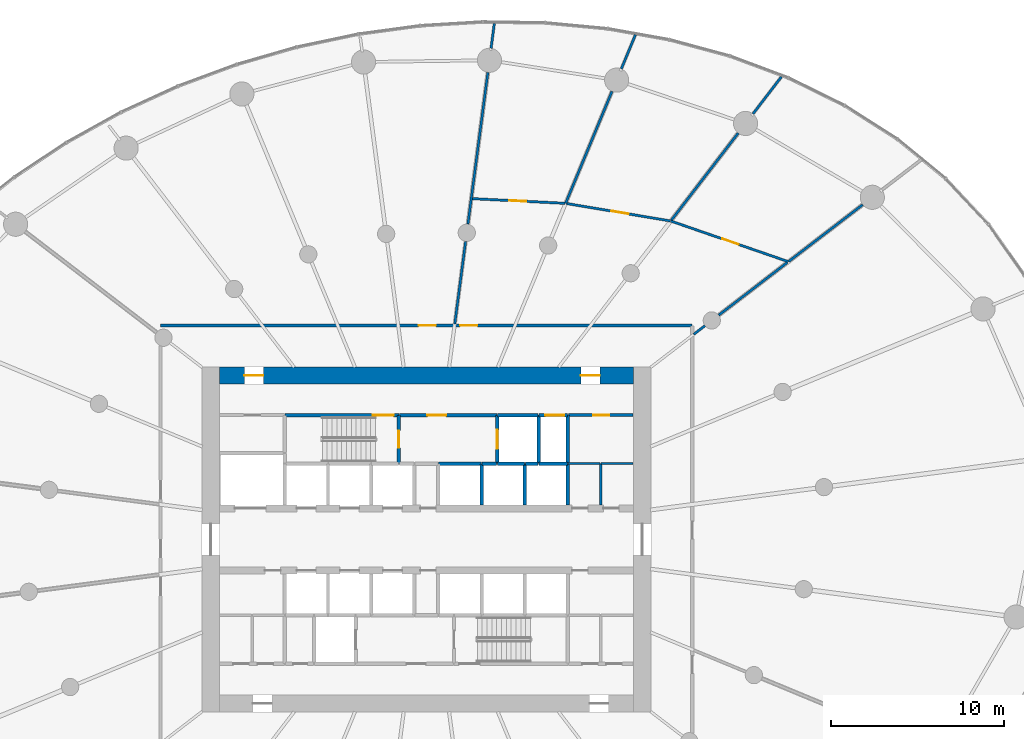
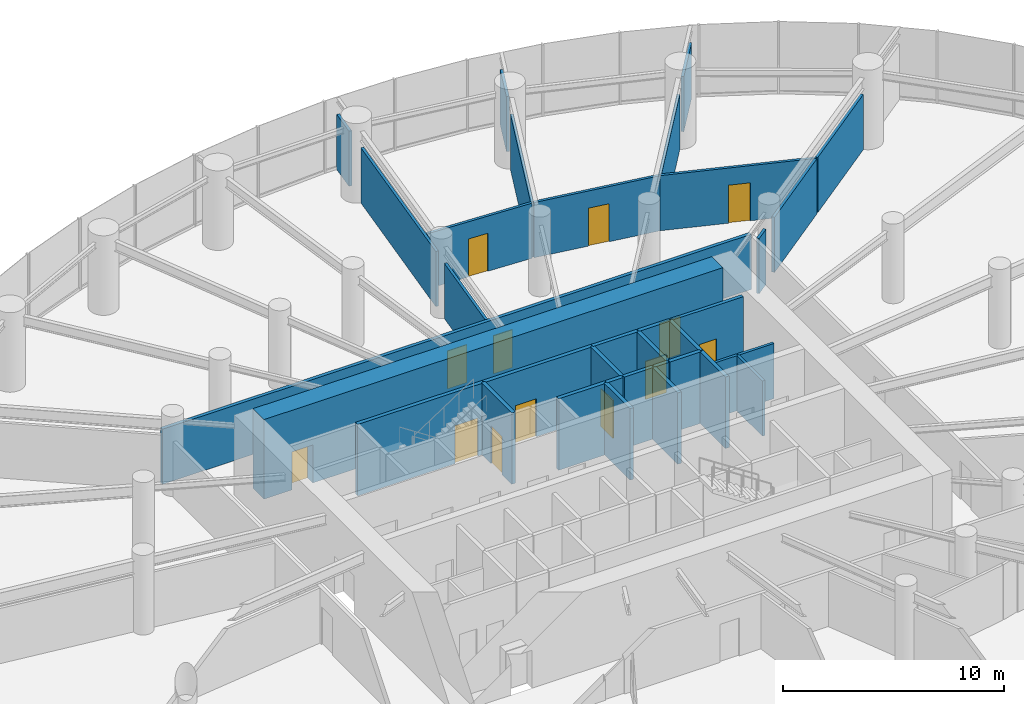
# One storey, part 14 of 18: 35 walls, 13 doors, 13 openings.
"""IFC4 building model written with IfcOpenShell, lengths in metres."""

from ifc_helpers import new_model, si_unit, direction, frame, frame_2d, origin, place, context, subcontext, project, spatial, rectangle, extrude, source, transform, mapped, material, layer, layer_set, type_object, element, fill, save


model = new_model("IFC4")

# Units and contexts
model_context = context("Model", 3, precision=1e-05, world=origin(), true_north=direction((0.0, 1.0)))
body_context = subcontext(model_context, "Body", "Model", "MODEL_VIEW")
ifc_project = project(units=[si_unit("LENGTHUNIT", "METRE"), si_unit("AREAUNIT", "SQUARE_METRE"), si_unit("VOLUMEUNIT", "CUBIC_METRE"), si_unit("PLANEANGLEUNIT", "RADIAN"), si_unit("MASSUNIT", "GRAM", prefix="KILO")], contexts=[model_context])

# Site, building, storey
site_placement = place(None, origin())
site = spatial("IfcSite", under=ifc_project, at=site_placement, CompositionType="ELEMENT")
building_placement = place(site_placement, origin())
building = spatial("IfcBuilding", under=site, at=building_placement, Name="Spindrift Exchange Tower", CompositionType="ELEMENT")
storey_placement = place(building_placement, frame((0.0, 0.0, 62.199951171875)))
storey = spatial("IfcBuildingStorey", under=building, at=storey_placement, Name="L14", CompositionType="ELEMENT", Elevation=62.199951171875)

# Wall, openings, doors
ifc_material_1 = material(Name="Concrete 80 MPa", Category="concrete")
ifc_layer_1 = layer(ifc_material_1, 1.0)
ifc_layer_set_1 = layer_set([ifc_layer_1], Name="RC Core Wall 1000 Concrete 80 MPa")
wall_type_1 = type_object("IfcWallType", Name="RC Core Wall 1000 Concrete 80 MPa", PredefinedType="SHEAR", material=ifc_layer_set_1)
wall_1_placement = place(storey_placement, frame((64.0, 57.5, 0.0), z_axis=(0.0, 0.0, 1.0), x_axis=(-1.0, 0.0, 0.0)))
wall_1 = element("IfcWall", 1, at=wall_1_placement, inside=storey, type_object=wall_type_1, Name="Core wall N L14", PredefinedType="SHEAR", context=body_context, shape_type="SweptSolid", body=[
    extrude(rectangle(XDim=24.0, YDim=1.0, at=frame_2d((12.0, 0.0))), origin(), (0.0, 0.0, 1.0), 4.400146484375),
])
opening_1_placement = place(wall_1_placement, frame((21.449951171875, 0.0, 0.0)))
opening_1 = element("IfcOpeningElement", 2, at=opening_1_placement, cuts=wall_1, Name="Opening L14-D20", PredefinedType="OPENING", context=body_context, shape_type="SweptSolid", body=[
    extrude(rectangle(XDim=1.10009765625, YDim=2.10009765625, at=frame_2d((0.550048828125, 1.050048828125))), frame((0.0, 0.510009765625, 0.0), z_axis=(0.0, -1.0, 0.0), x_axis=(1.0, 0.0, 0.0)), (0.0, 0.0, 1.0), 1.02001953125),
])
opening_2_placement = place(wall_1_placement, frame((1.949951171875, 0.0, 0.0)))
opening_2 = element("IfcOpeningElement", 3, at=opening_2_placement, cuts=wall_1, Name="Opening L14-D21", PredefinedType="OPENING", context=body_context, shape_type="SweptSolid", body=[
    extrude(rectangle(XDim=1.10009765625, YDim=2.10009765625, at=frame_2d((0.550048828125, 1.050048828125))), frame((0.0, 0.510009765625, 0.0), z_axis=(0.0, -1.0, 0.0), x_axis=(1.0, 0.0, 0.0)), (0.0, 0.0, 1.0), 1.02001953125),
])
ifc_material_2 = material(Name="Steel fire door", Category="steel")
door_type_1 = type_object("IfcDoorType", Name="DR-STAIR-1100", OperationType="NOTDEFINED", PredefinedType="DOOR", material=ifc_material_2)
shared_shape_1 = source(origin(), body_context, "Body", "SweptSolid", [
    extrude(rectangle(XDim=1.10009765625, YDim=2.10009765625, at=frame_2d((0.550048828125, 1.050048828125))), frame((0.0, 0.02490234375, 0.0), z_axis=(0.0, -1.0, 0.0), x_axis=(1.0, 0.0, 0.0)), (0.0, 0.0, 1.0), 0.050048828125),
])
door_1_placement = place(opening_1_placement, origin())
door_1 = element("IfcDoor", 4, at=door_1_placement, inside=storey, type_object=door_type_1, Name="L14 Stair door 20", OperationType="SINGLE_SWING_LEFT", OverallHeight=2.10009765625, OverallWidth=1.10009765625, PredefinedType="DOOR", context=body_context, shape_type="MappedRepresentation", body=[
    mapped(shared_shape_1, transform((0.0, 0.0, 0.0), scale=1.0)),
])
fill(opening_1, door_1)
door_2_placement = place(opening_2_placement, origin())
door_2 = element("IfcDoor", 5, at=door_2_placement, inside=storey, type_object=door_type_1, Name="L14 Stair door 21", OperationType="SINGLE_SWING_RIGHT", OverallHeight=2.10009765625, OverallWidth=1.10009765625, PredefinedType="DOOR", context=body_context, shape_type="MappedRepresentation", body=[
    mapped(shared_shape_1, transform((0.0, 0.0, 0.0), scale=1.0)),
])
fill(opening_2, door_2)

ifc_material_3 = material(Name="Fire-rated plasterboard partition", Category="gypsum")
ifc_layer_2 = layer(ifc_material_3, 0.179931640625)
ifc_layer_set_2 = layer_set([ifc_layer_2], Name="W-CORR-180")
wall_type_2 = type_object("IfcWallType", Name="W-CORR-180", PredefinedType="PARTITIONING", material=ifc_layer_set_2)
wall_2_placement = place(storey_placement, frame((36.60009765625, 60.39990234375, 0.0), z_axis=(0.0, 0.0, 1.0), x_axis=(1.0, 0.0, 0.0)))
wall_2 = element("IfcWall", 6, at=wall_2_placement, inside=storey, type_object=wall_type_2, Name="L14 Partition wall 58", PredefinedType="PARTITIONING", context=body_context, shape_type="SweptSolid", body=[
    extrude(rectangle(XDim=30.7998046875, YDim=0.179931640625, at=frame_2d((15.39990234375, 0.0))), origin(), (0.0, 0.0, 1.0), 3.050048828125),
])
opening_3_placement = place(wall_2_placement, frame((17.35009765625, 0.0, 0.0)))
opening_3 = element("IfcOpeningElement", 7, at=opening_3_placement, cuts=wall_2, Name="Opening L14-D30", PredefinedType="OPENING", context=body_context, shape_type="SweptSolid", body=[
    extrude(rectangle(XDim=1.0, YDim=2.10009765625, at=frame_2d((0.5, 1.050048828125))), frame((0.0, 0.099853515625, 0.0), z_axis=(0.0, -1.0, 0.0), x_axis=(1.0, 0.0, 0.0)), (0.0, 0.0, 1.0), 0.199951171875),
])
opening_4_placement = place(wall_2_placement, frame((14.949951171875, 0.0, 0.0)))
opening_4 = element("IfcOpeningElement", 8, at=opening_4_placement, cuts=wall_2, Name="Opening L14-D34", PredefinedType="OPENING", context=body_context, shape_type="SweptSolid", body=[
    extrude(rectangle(XDim=1.0, YDim=2.10009765625, at=frame_2d((0.5, 1.050048828125))), frame((0.0, 0.099853515625, 0.0), z_axis=(0.0, -1.0, 0.0), x_axis=(1.0, 0.0, 0.0)), (0.0, 0.0, 1.0), 0.199951171875),
])
ifc_material_4 = material(Name="Timber-core fire door", Category="wood")
door_type_2 = type_object("IfcDoorType", Name="DR-ROOM-1000", OperationType="NOTDEFINED", PredefinedType="DOOR", material=ifc_material_4)
shared_shape_2 = source(origin(), body_context, "Body", "SweptSolid", [
    extrude(rectangle(XDim=1.0, YDim=2.10009765625, at=frame_2d((0.5, 1.050048828125))), frame((0.0, 0.02490234375, 0.0), z_axis=(0.0, -1.0, 0.0), x_axis=(1.0, 0.0, 0.0)), (0.0, 0.0, 1.0), 0.050048828125),
])
door_3_placement = place(opening_3_placement, origin())
door_3 = element("IfcDoor", 9, at=door_3_placement, inside=storey, type_object=door_type_2, Name="L14 Door 30", OperationType="SINGLE_SWING_LEFT", OverallHeight=2.10009765625, OverallWidth=1.0, PredefinedType="DOOR", context=body_context, shape_type="MappedRepresentation", body=[
    mapped(shared_shape_2, transform((0.0, 0.0, 0.0), scale=1.0)),
])
fill(opening_3, door_3)
door_4_placement = place(opening_4_placement, origin())
door_4 = element("IfcDoor", 10, at=door_4_placement, inside=storey, type_object=door_type_2, Name="L14 Door 34", OperationType="SINGLE_SWING_LEFT", OverallHeight=2.10009765625, OverallWidth=1.0, PredefinedType="DOOR", context=body_context, shape_type="MappedRepresentation", body=[
    mapped(shared_shape_2, transform((0.0, 0.0, 0.0), scale=1.0)),
])
fill(opening_4, door_4)

# Wall, opening, door
wall_3_placement = place(storey_placement, frame((63.97998046875, 55.199951171875, 0.0), z_axis=(0.0, 0.0, 1.0), x_axis=(-1.0, 0.0, 0.0)))
wall_3 = element("IfcWall", 11, at=wall_3_placement, inside=storey, type_object=wall_type_2, Name="L14 Partition wall 64", PredefinedType="PARTITIONING", context=body_context, shape_type="SweptSolid", body=[
    extrude(rectangle(XDim=3.75, YDim=0.179931640625, at=frame_2d((1.875, 0.0))), origin(), (0.0, 0.0, 1.0), 3.949951171875),
])
opening_5_placement = place(wall_3_placement, frame((1.39990234375, 0.0, 0.0)))
opening_5 = element("IfcOpeningElement", 12, at=opening_5_placement, cuts=wall_3, Name="Opening L14-D48", PredefinedType="OPENING", context=body_context, shape_type="SweptSolid", body=[
    extrude(rectangle(XDim=0.89990234375, YDim=2.10009765625, at=frame_2d((0.449951171875, 1.050048828125))), frame((0.0, 0.099853515625, 0.0), z_axis=(0.0, -1.0, 0.0), x_axis=(1.0, 0.0, 0.0)), (0.0, 0.0, 1.0), 0.199951171875),
])
ifc_material_5 = material(Name="Steel access door", Category="steel")
door_type_3 = type_object("IfcDoorType", Name="DR-RISER-900", OperationType="NOTDEFINED", PredefinedType="DOOR", material=ifc_material_5)
shared_shape_3 = source(origin(), body_context, "Body", "SweptSolid", [
    extrude(rectangle(XDim=0.89990234375, YDim=2.10009765625, at=frame_2d((0.449951171875, 1.050048828125))), frame((0.0, 0.02490234375, 0.0), z_axis=(0.0, -1.0, 0.0), x_axis=(1.0, 0.0, 0.0)), (0.0, 0.0, 1.0), 0.050048828125),
])
door_5_placement = place(opening_5_placement, origin())
door_5 = element("IfcDoor", 13, at=door_5_placement, inside=storey, type_object=door_type_3, Name="L14 Riser door 48", OperationType="SINGLE_SWING_LEFT", OverallHeight=2.10009765625, OverallWidth=0.89990234375, PredefinedType="DOOR", context=body_context, shape_type="MappedRepresentation", body=[
    mapped(shared_shape_3, transform((0.0, 0.0, 0.0), scale=1.0)),
])
fill(opening_5, door_5)

# Wall
ifc_layer_3 = layer(ifc_material_3, 0.139892578125)
ifc_layer_set_3 = layer_set([ifc_layer_3], Name="W-PART-140")
wall_type_3 = type_object("IfcWallType", Name="W-PART-140", PredefinedType="PARTITIONING", material=ifc_layer_set_3)
wall_4_placement = place(storey_placement, frame((55.56298828125, 75.063232421875, 0.0), z_axis=(0.0, 0.0, 1.0), x_axis=(-0.130521426482, -0.991445488783, 0.0)))
element("IfcWall", 14, at=wall_4_placement, inside=storey, type_object=wall_type_3, Name="L14 Partition wall 72", PredefinedType="PARTITIONING", context=body_context, shape_type="SweptSolid", body=[
    extrude(rectangle(XDim=8.871826171875, YDim=0.139892578125, at=frame_2d((4.43603515625, 0.0))), origin(), (0.0, 0.0, 1.0), 3.050048828125),
])

# Wall, opening, door
wall_5_placement = place(storey_placement, frame((66.156982421875, 66.44970703125, 0.0), z_axis=(0.0, 0.0, 1.0), x_axis=(0.94512845443, -0.326698951064, 0.0)))
wall_5 = element("IfcWall", 15, at=wall_5_placement, inside=storey, type_object=wall_type_3, Name="L14 Partition wall 74", PredefinedType="PARTITIONING", context=body_context, shape_type="SweptSolid", body=[
    extrude(rectangle(XDim=7.212158203125, YDim=0.139892578125, at=frame_2d((3.60595703125, 0.0))), origin(), (0.0, 0.0, 1.0), 3.050048828125),
])
opening_6_placement = place(wall_5_placement, frame((3.162109375, 0.0, 0.0)))
opening_6 = element("IfcOpeningElement", 16, at=opening_6_placement, cuts=wall_5, Name="Opening L14-D31", PredefinedType="OPENING", context=body_context, shape_type="SweptSolid", body=[
    extrude(rectangle(XDim=1.0, YDim=2.10009765625, at=frame_2d((0.5, 1.050048828125))), frame((0.0, 0.079833984375, 0.0), z_axis=(0.0, -1.0, 0.0), x_axis=(1.0, 0.0, 0.0)), (0.0, 0.0, 1.0), 0.159912109375),
])
door_6_placement = place(opening_6_placement, origin())
door_6 = element("IfcDoor", 17, at=door_6_placement, inside=storey, type_object=door_type_2, Name="L14 Door 31", OperationType="SINGLE_SWING_RIGHT", OverallHeight=2.10009765625, OverallWidth=1.0, PredefinedType="DOOR", context=body_context, shape_type="MappedRepresentation", body=[
    mapped(shared_shape_2, transform((0.0, 0.0, 0.0), scale=1.0)),
])
fill(opening_6, door_6)

# Walls
wall_6_placement = place(storey_placement, frame((60.06591796875, 67.47265625, 0.0), z_axis=(0.0, 0.0, 1.0), x_axis=(0.382656812721, 0.92389055828, 0.0)))
element("IfcWall", 18, at=wall_6_placement, inside=storey, type_object=wall_type_3, Name="L14 Partition wall 76", PredefinedType="PARTITIONING", context=body_context, shape_type="SweptSolid", body=[
    extrude(rectangle(XDim=7.02197265625, YDim=0.139892578125, at=frame_2d((3.510986328125, 0.0))), origin(), (0.0, 0.0, 1.0), 3.050048828125),
])
wall_7_placement = place(storey_placement, frame((66.201904296875, 66.50830078125, 0.0), z_axis=(0.0, 0.0, 1.0), x_axis=(0.608769216059, 0.793347365017, 0.0)))
element("IfcWall", 19, at=wall_7_placement, inside=storey, type_object=wall_type_3, Name="L14 Partition wall 78", PredefinedType="PARTITIONING", context=body_context, shape_type="SweptSolid", body=[
    extrude(rectangle(XDim=6.34375, YDim=0.139892578125, at=frame_2d((3.171875, 0.0))), origin(), (0.0, 0.0, 1.0), 3.050048828125),
])

# Wall, opening, door
wall_8_placement = place(storey_placement, frame((60.13671875, 67.460693359375, 0.0), z_axis=(0.0, 0.0, 1.0), x_axis=(0.986188952804, -0.165624120731, 0.0)))
wall_8 = element("IfcWall", 20, at=wall_8_placement, inside=storey, type_object=wall_type_3, Name="L14 Partition wall 79", PredefinedType="PARTITIONING", context=body_context, shape_type="SweptSolid", body=[
    extrude(rectangle(XDim=6.07470703125, YDim=0.139892578125, at=frame_2d((3.037353515625, 0.0))), origin(), (0.0, 0.0, 1.0), 3.050048828125),
])
opening_7_placement = place(wall_8_placement, frame((2.62451171875, 0.0, 0.0)))
opening_7 = element("IfcOpeningElement", 21, at=opening_7_placement, cuts=wall_8, Name="Opening L14-D32", PredefinedType="OPENING", context=body_context, shape_type="SweptSolid", body=[
    extrude(rectangle(XDim=1.0, YDim=2.10009765625, at=frame_2d((0.5, 1.050048828125))), frame((0.0, 0.079833984375, 0.0), z_axis=(0.0, -1.0, 0.0), x_axis=(1.0, 0.0, 0.0)), (0.0, 0.0, 1.0), 0.159912109375),
])
door_7_placement = place(opening_7_placement, origin())
door_7 = element("IfcDoor", 22, at=door_7_placement, inside=storey, type_object=door_type_2, Name="L14 Door 32", OperationType="SINGLE_SWING_LEFT", OverallHeight=2.10009765625, OverallWidth=1.0, PredefinedType="DOOR", context=body_context, shape_type="MappedRepresentation", body=[
    mapped(shared_shape_2, transform((0.0, 0.0, 0.0), scale=1.0)),
])
fill(opening_7, door_7)

wall_9_placement = place(storey_placement, frame((54.669921875, 67.744384765625, 0.0), z_axis=(0.0, 0.0, 1.0), x_axis=(0.998734028084, -0.050302496432, 0.0)))
wall_9 = element("IfcWall", 23, at=wall_9_placement, inside=storey, type_object=wall_type_3, Name="L14 Partition wall 82", PredefinedType="PARTITIONING", context=body_context, shape_type="SweptSolid", body=[
    extrude(rectangle(XDim=5.372802734375, YDim=0.139892578125, at=frame_2d((2.6865234375, 0.0))), origin(), (0.0, 0.0, 1.0), 3.050048828125),
])
opening_8_placement = place(wall_9_placement, frame((2.122802734375, 0.0, 0.0)))
opening_8 = element("IfcOpeningElement", 24, at=opening_8_placement, cuts=wall_9, Name="Opening L14-D33", PredefinedType="OPENING", context=body_context, shape_type="SweptSolid", body=[
    extrude(rectangle(XDim=1.0, YDim=2.10009765625, at=frame_2d((0.5, 1.050048828125))), frame((0.0, 0.079833984375, 0.0), z_axis=(0.0, -1.0, 0.0), x_axis=(1.0, 0.0, 0.0)), (0.0, 0.0, 1.0), 0.159912109375),
])
door_8_placement = place(opening_8_placement, origin())
door_8 = element("IfcDoor", 25, at=door_8_placement, inside=storey, type_object=door_type_2, Name="L14 Door 33", OperationType="SINGLE_SWING_RIGHT", OverallHeight=2.10009765625, OverallWidth=1.0, PredefinedType="DOOR", context=body_context, shape_type="MappedRepresentation", body=[
    mapped(shared_shape_2, transform((0.0, 0.0, 0.0), scale=1.0)),
])
fill(opening_8, door_8)

# Walls
wall_10_placement = place(storey_placement, frame((72.997314453125, 64.11181640625, 0.0), z_axis=(0.0, 0.0, 1.0), x_axis=(0.793363718192, 0.608747904027, 0.0)))
element("IfcWall", 26, at=wall_10_placement, inside=storey, type_object=wall_type_3, Name="L14 Partition wall 83", PredefinedType="PARTITIONING", context=body_context, shape_type="SweptSolid", body=[
    extrude(rectangle(XDim=5.394287109375, YDim=0.139892578125, at=frame_2d((2.697265625, 0.0))), origin(), (0.0, 0.0, 1.0), 3.050048828125),
])
wall_11_placement = place(storey_placement, frame((68.93505859375, 60.99462890625, 0.0), z_axis=(0.0, 0.0, 1.0), x_axis=(0.793344926922, 0.608772393368, 0.0)))
element("IfcWall", 27, at=wall_11_placement, inside=storey, type_object=wall_type_3, Name="L14 Partition wall 85", PredefinedType="PARTITIONING", context=body_context, shape_type="SweptSolid", body=[
    extrude(rectangle(XDim=5.006591796875, YDim=0.139892578125, at=frame_2d((2.50341796875, 0.0))), origin(), (0.0, 0.0, 1.0), 3.050048828125),
])
wall_12_placement = place(storey_placement, frame((53.644287109375, 60.489990234375, 0.0), z_axis=(0.0, 0.0, 1.0), x_axis=(0.130523979823, 0.991445152639, 0.0)))
element("IfcWall", 28, at=wall_12_placement, inside=storey, type_object=wall_type_3, Name="L14 Partition wall 87", PredefinedType="PARTITIONING", context=body_context, shape_type="SweptSolid", body=[
    extrude(rectangle(XDim=4.818359375, YDim=0.139892578125, at=frame_2d((2.4091796875, 0.0))), origin(), (0.0, 0.0, 1.0), 3.050048828125),
])
wall_13_placement = place(storey_placement, frame((70.9208984375, 72.658447265625, 0.0), z_axis=(0.0, 0.0, 1.0), x_axis=(0.608759332692, 0.793354948847, 0.0)))
element("IfcWall", 29, at=wall_13_placement, inside=storey, type_object=wall_type_3, Name="L14 Partition wall 97", PredefinedType="PARTITIONING", context=body_context, shape_type="SweptSolid", body=[
    extrude(rectangle(XDim=2.70458984375, YDim=0.139892578125, at=frame_2d((1.352294921875, 0.0))), origin(), (0.0, 0.0, 1.0), 3.050048828125),
])
wall_14_placement = place(storey_placement, frame((62.10009765625, 50.010009765625, 0.0), z_axis=(0.0, 0.0, 1.0), x_axis=(0.0, 1.0, 0.0)))
element("IfcWall", 30, at=wall_14_placement, inside=storey, type_object=wall_type_3, Name="L14 Partition wall 98", PredefinedType="PARTITIONING", context=body_context, shape_type="SweptSolid", body=[
    extrude(rectangle(XDim=2.389892578125, YDim=0.139892578125, at=frame_2d((1.19482421875, 0.0))), origin(), (0.0, 0.0, 1.0), 3.050048828125),
])
wall_15_placement = place(storey_placement, frame((63.29248046875, 75.2626953125, 0.0), z_axis=(0.0, 0.0, 1.0), x_axis=(0.382791800522, 0.923834637504, 0.0)))
element("IfcWall", 31, at=wall_15_placement, inside=storey, type_object=wall_type_3, Name="L14 Partition wall 100", PredefinedType="PARTITIONING", context=body_context, shape_type="SweptSolid", body=[
    extrude(rectangle(XDim=2.139892578125, YDim=0.139892578125, at=frame_2d((1.06982421875, 0.0))), origin(), (0.0, 0.0, 1.0), 3.050048828125),
])
wall_16_placement = place(storey_placement, frame((62.070068359375, 52.39990234375, 0.0), z_axis=(0.0, 0.0, 1.0), x_axis=(-1.0, 0.0, 0.0)))
element("IfcWall", 32, at=wall_16_placement, inside=storey, type_object=wall_type_3, Name="L14 Partition wall 103", PredefinedType="PARTITIONING", context=body_context, shape_type="SweptSolid", body=[
    extrude(rectangle(XDim=1.840087890625, YDim=0.139892578125, at=frame_2d((0.919921875, 0.0))), origin(), (0.0, 0.0, 1.0), 3.050048828125),
])
wall_17_placement = place(storey_placement, frame((63.97998046875, 52.39990234375, 0.0), z_axis=(0.0, 0.0, 1.0), x_axis=(-1.0, 0.0, 0.0)))
element("IfcWall", 33, at=wall_17_placement, inside=storey, type_object=wall_type_3, Name="L14 Partition wall 106", PredefinedType="PARTITIONING", context=body_context, shape_type="SweptSolid", body=[
    extrude(rectangle(XDim=1.85009765625, YDim=0.139892578125, at=frame_2d((0.925048828125, 0.0))), origin(), (0.0, 0.0, 1.0), 3.050048828125),
])
wall_18_placement = place(storey_placement, frame((55.746826171875, 76.459716796875, 0.0), z_axis=(0.0, 0.0, 1.0), x_axis=(0.130550501092, 0.991441660747, 0.0)))
element("IfcWall", 34, at=wall_18_placement, inside=storey, type_object=wall_type_3, Name="L14 Partition wall 111", PredefinedType="PARTITIONING", context=body_context, shape_type="SweptSolid", body=[
    extrude(rectangle(XDim=1.447509765625, YDim=0.139892578125, at=frame_2d((0.7236328125, 0.0))), origin(), (0.0, 0.0, 1.0), 3.050048828125),
])
wall_19_placement = place(storey_placement, frame((67.489990234375, 59.885986328125, 0.0), z_axis=(0.0, 0.0, 1.0), x_axis=(0.793316076519, 0.608809989025, 0.0)))
element("IfcWall", 35, at=wall_19_placement, inside=storey, type_object=wall_type_3, Name="L14 Partition wall 114", PredefinedType="PARTITIONING", context=body_context, shape_type="SweptSolid", body=[
    extrude(rectangle(XDim=0.8125, YDim=0.139892578125, at=frame_2d((0.40625, 0.0))), origin(), (0.0, 0.0, 1.0), 3.050048828125),
])

# Wall, opening, door
ifc_material_6 = material(Name="Concrete 40 MPa", Category="concrete")
ifc_layer_4 = layer(ifc_material_6, 0.199951171875)
ifc_layer_set_4 = layer_set([ifc_layer_4], Name="W-SHAFT-200")
wall_type_4 = type_object("IfcWallType", Name="W-SHAFT-200", PredefinedType="SOLIDWALL", material=ifc_layer_set_4)
wall_20_placement = place(storey_placement, frame((56.10009765625, 55.169921875, 0.0), z_axis=(0.0, 0.0, 1.0), x_axis=(0.0, -1.0, 0.0)))
wall_20 = element("IfcWall", 36, at=wall_20_placement, inside=storey, type_object=wall_type_4, Name="L14 Shaft wall 12", PredefinedType="SOLIDWALL", context=body_context, shape_type="SweptSolid", body=[
    extrude(rectangle(XDim=2.77001953125, YDim=0.199951171875, at=frame_2d((1.385009765625, 0.0))), origin(), (0.0, 0.0, 1.0), 3.949951171875),
])
opening_9_placement = place(wall_20_placement, frame((0.820068359375, 0.0, 0.0)))
opening_9 = element("IfcOpeningElement", 37, at=opening_9_placement, cuts=wall_20, Name="Opening L14-D9", PredefinedType="OPENING", context=body_context, shape_type="SweptSolid", body=[
    extrude(rectangle(XDim=1.10009765625, YDim=2.10009765625, at=frame_2d((0.550048828125, 1.050048828125))), frame((0.0, 0.10986328125, 0.0), z_axis=(0.0, -1.0, 0.0), x_axis=(1.0, 0.0, 0.0)), (0.0, 0.0, 1.0), 0.219970703125),
])
ifc_material_7 = material(Name="Stainless steel landing door", Category="steel")
door_type_4 = type_object("IfcDoorType", Name="DR-LANDING-1100-SL", OperationType="DOUBLE_DOOR_SLIDING", PredefinedType="USERDEFINED", material=ifc_material_7)
shared_shape_4 = source(origin(), body_context, "Body", "SweptSolid", [
    extrude(rectangle(XDim=1.10009765625, YDim=2.10009765625, at=frame_2d((0.550048828125, 1.050048828125))), frame((0.0, 0.02490234375, 0.0), z_axis=(0.0, -1.0, 0.0), x_axis=(1.0, 0.0, 0.0)), (0.0, 0.0, 1.0), 0.050048828125),
])
door_9_placement = place(opening_9_placement, origin())
door_9 = element("IfcDoor", 38, at=door_9_placement, inside=storey, type_object=door_type_4, Name="L14 Lift landing door 9", ObjectType="LANDING DOOR", OperationType="DOUBLE_DOOR_SLIDING", OverallHeight=2.10009765625, OverallWidth=1.10009765625, PredefinedType="USERDEFINED", context=body_context, shape_type="MappedRepresentation", body=[
    mapped(shared_shape_4, transform((0.0, 0.0, 0.0), scale=1.0)),
])
fill(opening_9, door_9)

# Walls
for number, where, z_axis, x_axis, name in (
    (39, (58.5, 52.39990234375, 0.0), (0.0, 0.0, 1.0), (0.0, 1.0, 0.0), "L14 Shaft wall 13"),
    (40, (60.199951171875, 52.39990234375, 0.0), (0.0, 0.0, 1.0), (0.0, 1.0, 0.0), "L14 Shaft wall 14"),
):
    element("IfcWall", number, at=place(storey_placement, frame(where, z_axis=z_axis, x_axis=x_axis)), inside=storey, type_object=wall_type_4, Name=name, PredefinedType="SOLIDWALL", context=body_context, shape_type="SweptSolid", body=[
        extrude(rectangle(XDim=2.800048828125, YDim=0.199951171875, at=frame_2d((1.39990234375, 0.0))), origin(), (0.0, 0.0, 1.0), 3.949951171875),
    ])
wall_21_placement = place(storey_placement, frame((55.199951171875, 52.39990234375, 0.0), z_axis=(0.0, 0.0, 1.0), x_axis=(-1.0, 0.0, 0.0)))
element("IfcWall", 41, at=wall_21_placement, inside=storey, type_object=wall_type_4, Name="L14 Shaft wall 18", PredefinedType="SOLIDWALL", context=body_context, shape_type="SweptSolid", body=[
    extrude(rectangle(XDim=2.5, YDim=0.199951171875, at=frame_2d((1.25, 0.0))), origin(), (0.0, 0.0, 1.0), 3.949951171875),
])
wall_22_placement = place(storey_placement, frame((58.469970703125, 55.199951171875, 0.0), z_axis=(0.0, 0.0, 1.0), x_axis=(-1.0, 0.0, 0.0)))
element("IfcWall", 42, at=wall_22_placement, inside=storey, type_object=wall_type_4, Name="L14 Shaft wall 22", PredefinedType="SOLIDWALL", context=body_context, shape_type="SweptSolid", body=[
    extrude(rectangle(XDim=2.340087890625, YDim=0.199951171875, at=frame_2d((1.169921875, 0.0))), origin(), (0.0, 0.0, 1.0), 3.949951171875),
])
wall_23_placement = place(storey_placement, frame((55.199951171875, 50.010009765625, 0.0), z_axis=(0.0, 0.0, 1.0), x_axis=(0.0, 1.0, 0.0)))
element("IfcWall", 43, at=wall_23_placement, inside=storey, type_object=wall_type_4, Name="L14 Shaft wall 34", PredefinedType="SOLIDWALL", context=body_context, shape_type="SweptSolid", body=[
    extrude(rectangle(XDim=2.360107421875, YDim=0.199951171875, at=frame_2d((1.18017578125, 0.0))), origin(), (0.0, 0.0, 1.0), 3.949951171875),
])
wall_24_placement = place(storey_placement, frame((57.699951171875, 50.010009765625, 0.0), z_axis=(0.0, 0.0, 1.0), x_axis=(0.0, 1.0, 0.0)))
element("IfcWall", 44, at=wall_24_placement, inside=storey, type_object=wall_type_4, Name="L14 Shaft wall 36", PredefinedType="SOLIDWALL", context=body_context, shape_type="SweptSolid", body=[
    extrude(rectangle(XDim=2.389892578125, YDim=0.199951171875, at=frame_2d((1.19482421875, 0.0))), origin(), (0.0, 0.0, 1.0), 3.949951171875),
])
wall_25_placement = place(storey_placement, frame((60.199951171875, 50.010009765625, 0.0), z_axis=(0.0, 0.0, 1.0), x_axis=(0.0, 1.0, 0.0)))
element("IfcWall", 45, at=wall_25_placement, inside=storey, type_object=wall_type_4, Name="L14 Shaft wall 38", PredefinedType="SOLIDWALL", context=body_context, shape_type="SweptSolid", body=[
    extrude(rectangle(XDim=2.360107421875, YDim=0.199951171875, at=frame_2d((1.18017578125, 0.0))), origin(), (0.0, 0.0, 1.0), 3.949951171875),
])
wall_26_placement = place(storey_placement, frame((60.169921875, 52.39990234375, 0.0), z_axis=(0.0, 0.0, 1.0), x_axis=(-1.0, 0.0, 0.0)))
element("IfcWall", 46, at=wall_26_placement, inside=storey, type_object=wall_type_4, Name="L14 Shaft wall 42", PredefinedType="SOLIDWALL", context=body_context, shape_type="SweptSolid", body=[
    extrude(rectangle(XDim=1.639892578125, YDim=0.199951171875, at=frame_2d((0.81982421875, 0.0))), origin(), (0.0, 0.0, 1.0), 3.949951171875),
])

# Wall, opening, door
wall_27_placement = place(storey_placement, frame((60.169921875, 55.199951171875, 0.0), z_axis=(0.0, 0.0, 1.0), x_axis=(-1.0, 0.0, 0.0)))
wall_27 = element("IfcWall", 47, at=wall_27_placement, inside=storey, type_object=wall_type_4, Name="L14 Shaft wall 43", PredefinedType="SOLIDWALL", context=body_context, shape_type="SweptSolid", body=[
    extrude(rectangle(XDim=1.639892578125, YDim=0.199951171875, at=frame_2d((0.81982421875, 0.0))), origin(), (0.0, 0.0, 1.0), 3.949951171875),
])
opening_10_placement = place(wall_27_placement, frame((0.169921875, 0.0, 0.0)))
opening_10 = element("IfcOpeningElement", 48, at=opening_10_placement, cuts=wall_27, Name="Opening L14-D11", PredefinedType="OPENING", context=body_context, shape_type="SweptSolid", body=[
    extrude(rectangle(XDim=1.10009765625, YDim=2.10009765625, at=frame_2d((0.550048828125, 1.050048828125))), frame((0.0, 0.10986328125, 0.0), z_axis=(0.0, -1.0, 0.0), x_axis=(1.0, 0.0, 0.0)), (0.0, 0.0, 1.0), 0.219970703125),
])
door_10_placement = place(opening_10_placement, origin())
door_10 = element("IfcDoor", 49, at=door_10_placement, inside=storey, type_object=door_type_4, Name="L14 Lift landing door 11", ObjectType="LANDING DOOR", OperationType="DOUBLE_DOOR_SLIDING", OverallHeight=2.10009765625, OverallWidth=1.10009765625, PredefinedType="USERDEFINED", context=body_context, shape_type="MappedRepresentation", body=[
    mapped(shared_shape_4, transform((0.0, 0.0, 0.0), scale=1.0)),
])
fill(opening_10, door_10)

# Walls
wall_28_placement = place(storey_placement, frame((57.669921875, 52.39990234375, 0.0), z_axis=(0.0, 0.0, 1.0), x_axis=(-1.0, 0.0, 0.0)))
element("IfcWall", 50, at=wall_28_placement, inside=storey, type_object=wall_type_4, Name="L14 Shaft wall 47", PredefinedType="SOLIDWALL", context=body_context, shape_type="SweptSolid", body=[
    extrude(rectangle(XDim=1.5400390625, YDim=0.199951171875, at=frame_2d((0.77001953125, 0.0))), origin(), (0.0, 0.0, 1.0), 3.949951171875),
])
wall_29_placement = place(storey_placement, frame((56.070068359375, 52.39990234375, 0.0), z_axis=(0.0, 0.0, 1.0), x_axis=(-1.0, 0.0, 0.0)))
element("IfcWall", 51, at=wall_29_placement, inside=storey, type_object=wall_type_4, Name="L14 Shaft wall 53", PredefinedType="SOLIDWALL", context=body_context, shape_type="SweptSolid", body=[
    extrude(rectangle(XDim=0.840087890625, YDim=0.199951171875, at=frame_2d((0.419921875, 0.0))), origin(), (0.0, 0.0, 1.0), 3.949951171875),
])
wall_30_placement = place(storey_placement, frame((58.469970703125, 52.39990234375, 0.0), z_axis=(0.0, 0.0, 1.0), x_axis=(-1.0, 0.0, 0.0)))
element("IfcWall", 52, at=wall_30_placement, inside=storey, type_object=wall_type_4, Name="L14 Shaft wall 55", PredefinedType="SOLIDWALL", context=body_context, shape_type="SweptSolid", body=[
    extrude(rectangle(XDim=0.739990234375, YDim=0.199951171875, at=frame_2d((0.3701171875, 0.0))), origin(), (0.0, 0.0, 1.0), 3.949951171875),
])

# Wall, opening, door
ifc_layer_5 = layer(ifc_material_6, 0.199951171875)
ifc_layer_set_5 = layer_set([ifc_layer_5], Name="W-SHAFT-200-LB")
wall_type_5 = type_object("IfcWallType", Name="W-SHAFT-200-LB", PredefinedType="SOLIDWALL", material=ifc_layer_set_5)
wall_31_placement = place(storey_placement, frame((50.39990234375, 55.199951171875, 0.0), z_axis=(0.0, 0.0, 1.0), x_axis=(-1.0, 0.0, 0.0)))
wall_31 = element("IfcWall", 53, at=wall_31_placement, inside=storey, type_object=wall_type_5, Name="L14 Shaft wall 1", PredefinedType="SOLIDWALL", context=body_context, shape_type="SweptSolid", body=[
    extrude(rectangle(XDim=6.599853515625, YDim=0.199951171875, at=frame_2d((3.2998046875, 0.0))), origin(), (0.0, 0.0, 1.0), 3.949951171875),
])
opening_11_placement = place(wall_31_placement, frame((0.300048828125, 0.0, 0.0)))
opening_11 = element("IfcOpeningElement", 54, at=opening_11_placement, cuts=wall_31, Name="Opening L14-D13", PredefinedType="OPENING", context=body_context, shape_type="SweptSolid", body=[
    extrude(rectangle(XDim=1.199951171875, YDim=2.10009765625, at=frame_2d((0.60009765625, 1.050048828125))), frame((0.0, 0.10986328125, 0.0), z_axis=(0.0, -1.0, 0.0), x_axis=(1.0, 0.0, 0.0)), (0.0, 0.0, 1.0), 0.219970703125),
])
door_type_5 = type_object("IfcDoorType", Name="DR-STAIR-1200", OperationType="NOTDEFINED", PredefinedType="DOOR", material=ifc_material_2)
shared_shape_5 = source(origin(), body_context, "Body", "SweptSolid", [
    extrude(rectangle(XDim=1.199951171875, YDim=2.10009765625, at=frame_2d((0.60009765625, 1.050048828125))), frame((0.0, 0.02490234375, 0.0), z_axis=(0.0, -1.0, 0.0), x_axis=(1.0, 0.0, 0.0)), (0.0, 0.0, 1.0), 0.050048828125),
])
door_11_placement = place(opening_11_placement, origin())
door_11 = element("IfcDoor", 55, at=door_11_placement, inside=storey, type_object=door_type_5, Name="L14 Stair door 13", OperationType="SINGLE_SWING_RIGHT", OverallHeight=2.10009765625, OverallWidth=1.199951171875, PredefinedType="DOOR", context=body_context, shape_type="MappedRepresentation", body=[
    mapped(shared_shape_5, transform((0.0, 0.0, 0.0), scale=1.0)),
])
fill(opening_11, door_11)

wall_32_placement = place(storey_placement, frame((56.10009765625, 55.199951171875, 0.0), z_axis=(0.0, 0.0, 1.0), x_axis=(-1.0, 0.0, 0.0)))
wall_32 = element("IfcWall", 56, at=wall_32_placement, inside=storey, type_object=wall_type_5, Name="L14 Shaft wall 4", PredefinedType="SOLIDWALL", context=body_context, shape_type="SweptSolid", body=[
    extrude(rectangle(XDim=5.670166015625, YDim=0.199951171875, at=frame_2d((2.8349609375, 0.0))), origin(), (0.0, 0.0, 1.0), 3.949951171875),
])
opening_12_placement = place(wall_32_placement, frame((2.949951171875, 0.0, 0.0)))
opening_12 = element("IfcOpeningElement", 57, at=opening_12_placement, cuts=wall_32, Name="Opening L14-D15", PredefinedType="OPENING", context=body_context, shape_type="SweptSolid", body=[
    extrude(rectangle(XDim=1.10009765625, YDim=2.10009765625, at=frame_2d((0.550048828125, 1.050048828125))), frame((0.0, 0.10986328125, 0.0), z_axis=(0.0, -1.0, 0.0), x_axis=(1.0, 0.0, 0.0)), (0.0, 0.0, 1.0), 0.219970703125),
])
door_type_6 = type_object("IfcDoorType", Name="DR-LOBBY-1100", OperationType="NOTDEFINED", PredefinedType="DOOR", material=ifc_material_4)
shared_shape_6 = source(origin(), body_context, "Body", "SweptSolid", [
    extrude(rectangle(XDim=1.10009765625, YDim=2.10009765625, at=frame_2d((0.550048828125, 1.050048828125))), frame((0.0, 0.02490234375, 0.0), z_axis=(0.0, -1.0, 0.0), x_axis=(1.0, 0.0, 0.0)), (0.0, 0.0, 1.0), 0.050048828125),
])
door_12_placement = place(opening_12_placement, origin())
door_12 = element("IfcDoor", 58, at=door_12_placement, inside=storey, type_object=door_type_6, Name="L14 Lobby door 15", OperationType="SINGLE_SWING_RIGHT", OverallHeight=2.10009765625, OverallWidth=1.10009765625, PredefinedType="DOOR", context=body_context, shape_type="MappedRepresentation", body=[
    mapped(shared_shape_6, transform((0.0, 0.0, 0.0), scale=1.0)),
])
fill(opening_12, door_12)

wall_33_placement = place(storey_placement, frame((50.39990234375, 52.39990234375, 0.0), z_axis=(0.0, 0.0, 1.0), x_axis=(0.0, 1.0, 0.0)))
wall_33 = element("IfcWall", 59, at=wall_33_placement, inside=storey, type_object=wall_type_5, Name="L14 Shaft wall 9", PredefinedType="SOLIDWALL", context=body_context, shape_type="SweptSolid", body=[
    extrude(rectangle(XDim=2.77001953125, YDim=0.199951171875, at=frame_2d((1.385009765625, 0.0))), origin(), (0.0, 0.0, 1.0), 3.949951171875),
])
opening_13_placement = place(wall_33_placement, frame((0.89990234375, 0.0, 0.0)))
opening_13 = element("IfcOpeningElement", 60, at=opening_13_placement, cuts=wall_33, Name="Opening L14-D14", PredefinedType="OPENING", context=body_context, shape_type="SweptSolid", body=[
    extrude(rectangle(XDim=1.0, YDim=2.10009765625, at=frame_2d((0.5, 1.050048828125))), frame((0.0, 0.10986328125, 0.0), z_axis=(0.0, -1.0, 0.0), x_axis=(1.0, 0.0, 0.0)), (0.0, 0.0, 1.0), 0.219970703125),
])
door_type_7 = type_object("IfcDoorType", Name="DR-STAIR-1000", OperationType="NOTDEFINED", PredefinedType="DOOR", material=ifc_material_2)
shared_shape_7 = source(origin(), body_context, "Body", "SweptSolid", [
    extrude(rectangle(XDim=1.0, YDim=2.10009765625, at=frame_2d((0.5, 1.050048828125))), frame((0.0, 0.02490234375, 0.0), z_axis=(0.0, -1.0, 0.0), x_axis=(1.0, 0.0, 0.0)), (0.0, 0.0, 1.0), 0.050048828125),
])
door_13_placement = place(opening_13_placement, origin())
door_13 = element("IfcDoor", 61, at=door_13_placement, inside=storey, type_object=door_type_7, Name="L14 Stair door 14", OperationType="SINGLE_SWING_LEFT", OverallHeight=2.10009765625, OverallWidth=1.0, PredefinedType="DOOR", context=body_context, shape_type="MappedRepresentation", body=[
    mapped(shared_shape_7, transform((0.0, 0.0, 0.0), scale=1.0)),
])
fill(opening_13, door_13)

save(model, "model.ifc")
